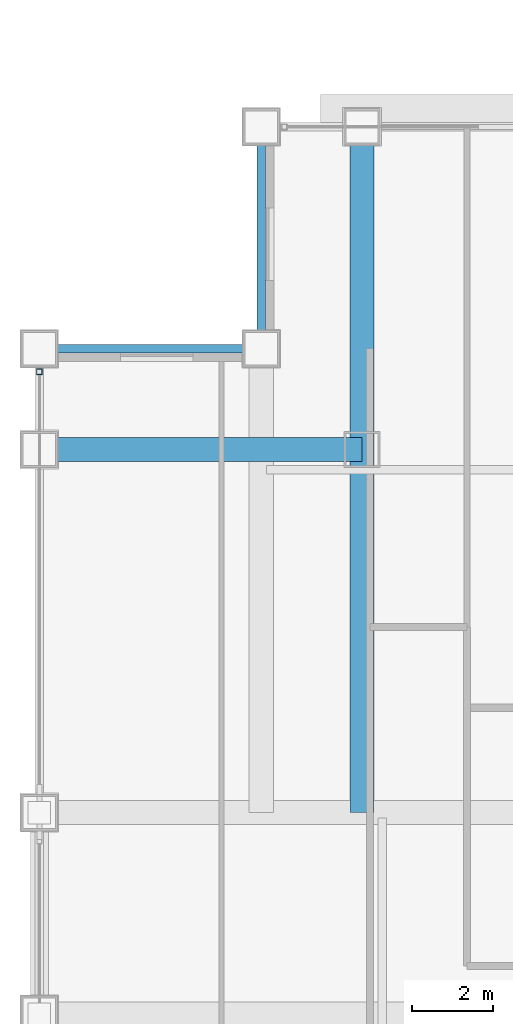
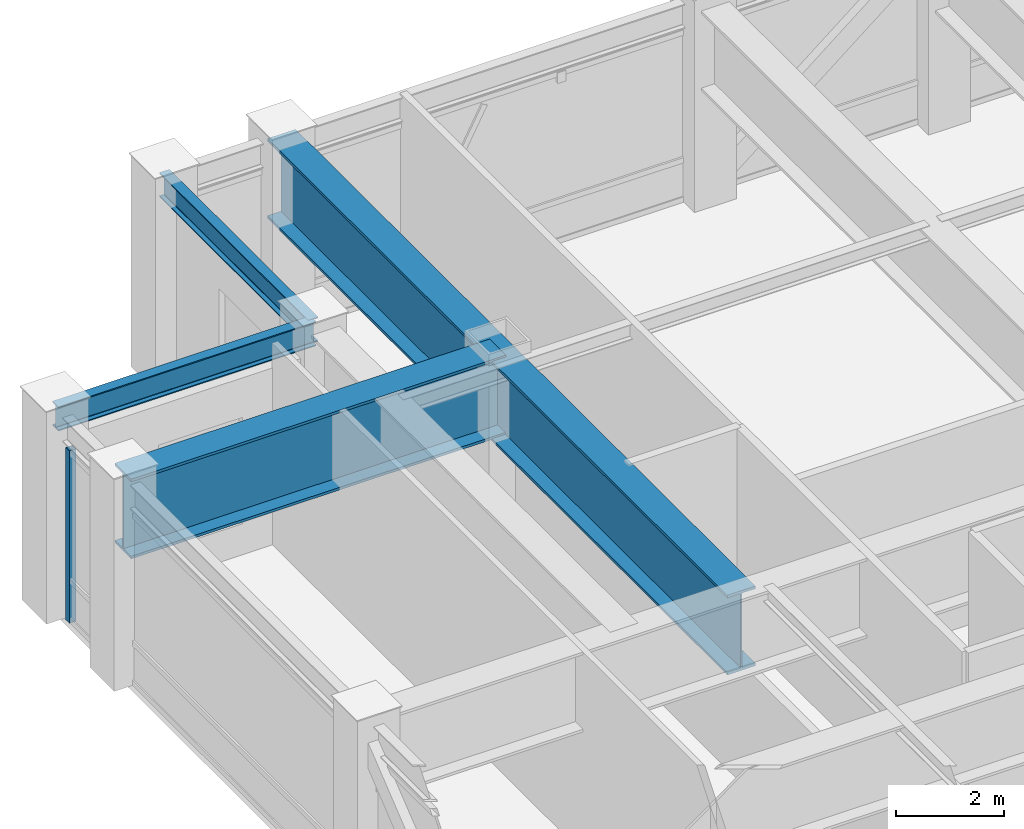
# One storey, part 14 of 31: 4 beams, 1 member, 1 element without a shape of its own.
"""IFC4 building model written with IfcOpenShell, lengths in metres."""

from ifc_helpers import new_model, si_unit, direction, frame, origin, origin_2d, place, context, subcontext, project, spatial, hollow_rectangle, i_section, extrude, source, transform, mapped, material, material_profile, profile_set, type_object, element, aggregate, save


model = new_model("IFC4")

# Units and contexts
model_context = context("Model", 3, precision=1e-05, world=origin(), true_north=direction((0.0, 1.0)))
body_context = subcontext(model_context, "Body", "Model", "MODEL_VIEW")
ifc_project = project(units=[si_unit("LENGTHUNIT", "METRE"), si_unit("AREAUNIT", "SQUARE_METRE"), si_unit("VOLUMEUNIT", "CUBIC_METRE"), si_unit("PLANEANGLEUNIT", "RADIAN"), si_unit("MASSUNIT", "GRAM", prefix="KILO")], contexts=[model_context])

# Site, building, storey
site_placement = place(None, origin())
site = spatial("IfcSite", under=ifc_project, at=site_placement, CompositionType="ELEMENT")
building_placement = place(site_placement, origin())
building = spatial("IfcBuilding", under=site, at=building_placement, Name="Khorayat Bourse Tower", CompositionType="ELEMENT")
storey_placement = place(building_placement, frame((0.0, 0.0, 321.5)))
storey = spatial("IfcBuildingStorey", under=building, at=storey_placement, Name="L76", CompositionType="ELEMENT", Elevation=321.5)

# Beams
ifc_material_1 = material(Name="Steel EN 10025-4 S460M", Category="steel")
ifc_material_profile_1 = material_profile(ifc_material_1, i_section(OverallWidth=0.60009765625, OverallDepth=1.800048828125, WebThickness=0.031982421875, FlangeThickness=0.06005859375, at=origin_2d()), Name="PG 1800x600x32x60")
ifc_profile_set_1 = profile_set([ifc_material_profile_1], Name="Steel EN 10025-4 S460M")
beam_type_1 = type_object("IfcBeamType", Name="BM-TR-1800", PredefinedType="BEAM", material=ifc_profile_set_1)
shared_shape_1 = source(origin(), body_context, "Body", "SweptSolid", [
    extrude(i_section(OverallWidth=0.60009765625, OverallDepth=1.800048828125, WebThickness=0.031982421875, FlangeThickness=0.06005859375, at=origin_2d()), origin(), (0.0, 0.0, 1.0), 8.0),
])
beam_1_placement = place(storey_placement, frame((-28.0, 20.0, 3.639892578125), z_axis=(1.0, 0.0, 0.0), x_axis=(0.0, 1.0, 0.0)))
element("IfcBeam", 1, at=beam_1_placement, inside=storey, type_object=beam_type_1, Name="L76 BM-TR-1800 BM-L76-CNRX-095", PredefinedType="BEAM", context=body_context, shape_type="MappedRepresentation", body=[
    mapped(shared_shape_1, transform((0.0, 0.0, 0.0), scale=1.0)),
])
shared_shape_2 = source(origin(), body_context, "Body", "SweptSolid", [
    extrude(i_section(OverallWidth=0.60009765625, OverallDepth=1.800048828125, WebThickness=0.031982421875, FlangeThickness=0.06005859375, at=origin_2d()), origin(), (0.0, 0.0, 1.0), 17.0),
])
beam_2_placement = place(storey_placement, frame((-20.0, 11.0, 3.60009765625), z_axis=(0.0, 1.0, 0.0), x_axis=(-1.0, 0.0, 0.0)))
element("IfcBeam", 2, at=beam_2_placement, inside=storey, type_object=beam_type_1, Name="L76 BM-TR-1800 BM-L76-CNRY-085", PredefinedType="BEAM", context=body_context, shape_type="MappedRepresentation", body=[
    mapped(shared_shape_2, transform((0.0, 0.0, 0.0), scale=1.0)),
])
ifc_material_2 = material(Name="Steel ASTM A992 Grade 50", Category="steel")
ifc_material_profile_2 = material_profile(ifc_material_2, i_section(OverallWidth=0.214111328125, OverallDepth=0.549072265625, WebThickness=0.0146484375, FlangeThickness=0.023681640625, FilletRadius=0.013916015625, at=origin_2d()), Name="W530X138")
ifc_profile_set_2 = profile_set([ifc_material_profile_2], Name="Steel ASTM A992 Grade 50")
beam_type_2 = type_object("IfcBeamType", Name="BM-SPAN-530", PredefinedType="SPANDREL", material=ifc_profile_set_2)
shared_shape_3 = source(origin(), body_context, "Body", "SweptSolid", [
    extrude(i_section(OverallWidth=0.214111328125, OverallDepth=0.549072265625, WebThickness=0.0146484375, FlangeThickness=0.023681640625, FilletRadius=0.013916015625, at=origin_2d()), origin(), (0.0, 0.0, 1.0), 5.5),
])
for number, where, z_axis, x_axis, name in (
    (3, (-22.5, 22.5, 4.265380859375), (0.0, 1.0, 0.0), (-1.0, 0.0, 0.0), "L76 BM-SPAN-530 BM-L76-SPN-052"),
    (4, (-28.0, 22.5, 4.265380859375), (1.0, 0.0, 0.0), (0.0, 1.0, 0.0), "L76 BM-SPAN-530 BM-L76-SPN-053"),
):
    element("IfcBeam", number, at=place(storey_placement, frame(where, z_axis=z_axis, x_axis=x_axis)), inside=storey, type_object=beam_type_2, Name=name, PredefinedType="SPANDREL", context=body_context, shape_type="MappedRepresentation", body=[
        mapped(shared_shape_3, transform((0.0, 0.0, 0.0), scale=1.0)),
    ])

# Curtain wall, member
ifc_material_3 = material(Name="Aluminium EN AW-6063 T6", Category="aluminium")
curtain_wall_type = type_object("IfcCurtainWallType", Name="CW-SYS-05", PredefinedType="NOTDEFINED", material=ifc_material_3)
curtain_wall_placement = place(storey_placement, origin())
curtain_wall = element("IfcCurtainWall", 5, at=curtain_wall_placement, inside=storey, type_object=curtain_wall_type, Name="L76 Curtain Wall CW-L76-W1", PredefinedType="NOTDEFINED")
ifc_material_profile_3 = material_profile(ifc_material_3, hollow_rectangle(XDim=0.139892578125, YDim=0.139892578125, WallThickness=0.006103515625, at=origin_2d()), Name="ALU 140x140x6")
ifc_profile_set_3 = profile_set([ifc_material_profile_3], Name="Aluminium EN AW-6063 T6")
member_type = type_object("IfcMemberType", Name="CWM-VERT-140", PredefinedType="MULLION", material=ifc_profile_set_3)
shared_shape_4 = source(origin(), body_context, "Body", "SweptSolid", [
    extrude(hollow_rectangle(XDim=0.139892578125, YDim=0.139892578125, WallThickness=0.006103515625, at=origin_2d()), origin(), (0.0, 0.0, 1.0), 3.889892578125),
])
member_placement = place(storey_placement, frame((-28.0, 21.929931640625, 0.0), z_axis=(0.0, 0.0, 1.0), x_axis=(-1.0, 0.0, 0.0)))
member = element("IfcMember", 6, at=member_placement, type_object=member_type, Name="CW-L76-W1 Vertical Mullion 3", PredefinedType="MULLION", context=body_context, shape_type="MappedRepresentation", body=[
    mapped(shared_shape_4, transform((0.0, 0.0, 0.0), scale=1.0)),
])
aggregate(curtain_wall, [member])

save(model, "model.ifc")
